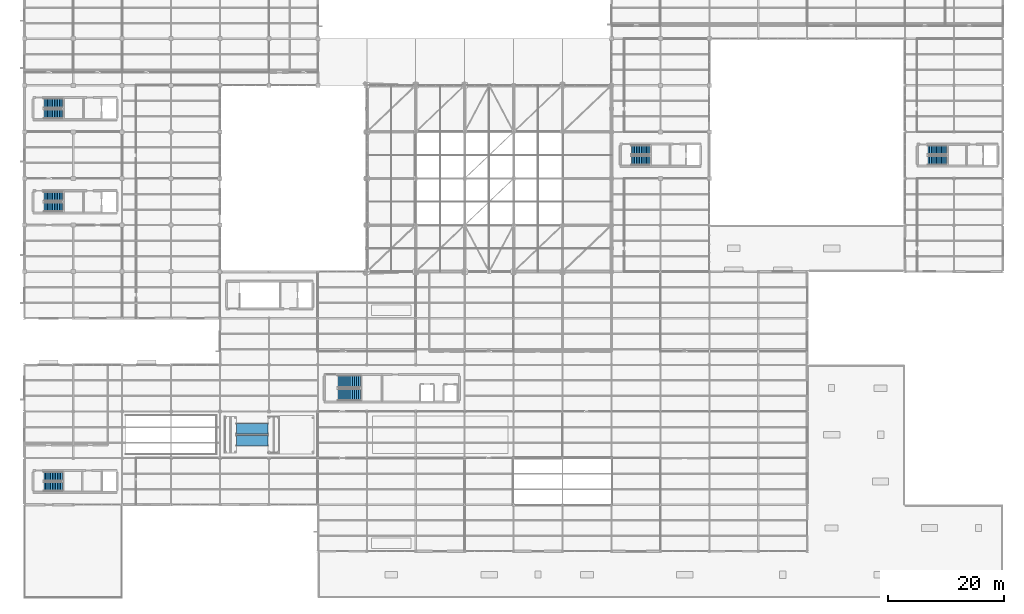
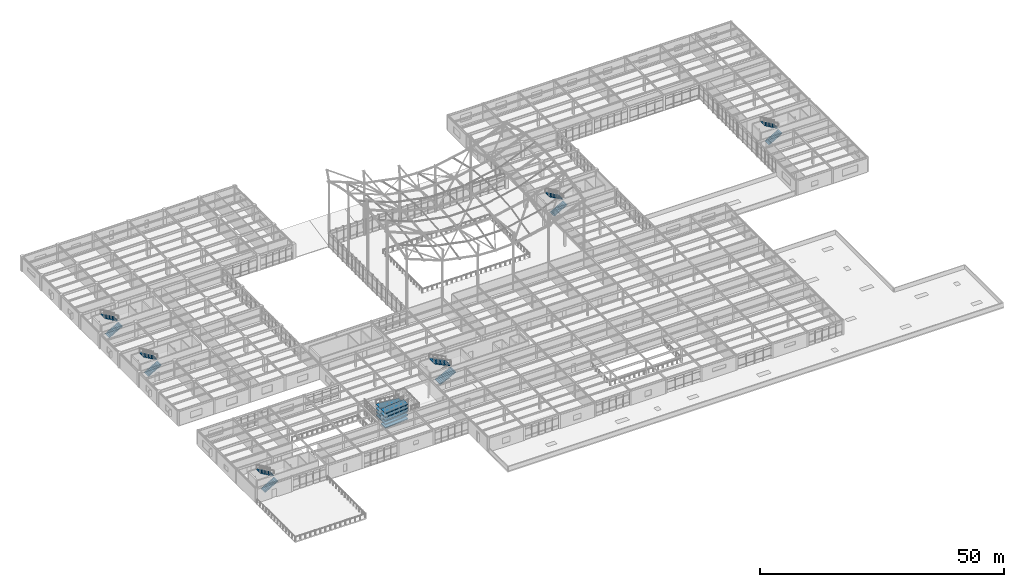
# One storey, part 80 of 138: 12 stair flights, 9 ramp flights, 7 elements without a shape of their own.
"""IFC4 building model written with IfcOpenShell, lengths in metres."""

from ifc_helpers import new_model, si_unit, direction, frame, origin, place, context, subcontext, project, spatial, polyline, outline, extrude, material, layer, layer_set, type_object, element, aggregate, save


model = new_model("IFC4")

# Units and contexts
model_context = context("Model", 3, precision=1e-05, world=origin(), true_north=direction((0.0, 1.0)))
body_context = subcontext(model_context, "Body", "Model", "MODEL_VIEW")
ifc_project = project(units=[si_unit("LENGTHUNIT", "METRE"), si_unit("AREAUNIT", "SQUARE_METRE"), si_unit("VOLUMEUNIT", "CUBIC_METRE"), si_unit("PLANEANGLEUNIT", "RADIAN"), si_unit("MASSUNIT", "GRAM", prefix="KILO")], contexts=[model_context])

# Site, building, storey
site_placement = place(None, origin())
site = spatial("IfcSite", under=ifc_project, at=site_placement, CompositionType="ELEMENT")
building_placement = place(site_placement, origin())
building = spatial("IfcBuilding", under=site, at=building_placement, Name="Kranzveld Transit Interchange", CompositionType="ELEMENT")
storey_placement = place(building_placement, frame((0.0, 0.0, 5.43994140625)))
storey = spatial("IfcBuildingStorey", under=building, at=storey_placement, Name="L01", CompositionType="ELEMENT", Elevation=5.43994140625)

# Stair, stair flights
ifc_material_1 = material(Name="Concrete C35/45", Category="concrete")
stair_type_1 = type_object("IfcStairType", Name="Dogleg Stair 1600W H4080 C35/45", PredefinedType="HALF_TURN_STAIR", material=ifc_material_1)
stair_1_placement = place(storey_placement, origin())
stair_1 = element("IfcStair", 1, at=stair_1_placement, inside=storey, type_object=stair_type_1, Name="L01 Community East Core C4", PredefinedType="HALF_TURN_STAIR")
ifc_material_2 = material(Name="Concrete C35/45", Category="concrete")
stair_flight_type_1 = type_object("IfcStairFlightType", Name="Stair Flight 1600W H4080 C35/45", PredefinedType="STRAIGHT", material=ifc_material_2)
stair_flight_1_placement = place(storey_placement, frame((155.14990234375, 75.1201171875, 0.0), z_axis=(0.0, 0.0, 1.0), x_axis=(1.0, 0.0, 0.0)))
stair_flight_1 = element("IfcStairFlight", 2, at=stair_flight_1_placement, type_object=stair_flight_type_1, Name="ST-V4B flight 1", NumberOfRisers=12, NumberOfTreads=11, PredefinedType="STRAIGHT", RiserHeight=0.17, TreadLength=0.29, context=body_context, shape_type="SweptSolid", body=[
    extrude(outline(polyline([(0.0, 0.0), (0.0, 0.169921875), (0.2900390625, 0.169921875), (0.2900390625, 0.340087890625), (0.580078125, 0.340087890625), (0.580078125, 0.510009765625), (0.8701171875, 0.510009765625), (0.8701171875, 0.679931640625), (1.159912109375, 0.679931640625), (1.159912109375, 0.85009765625), (1.449951171875, 0.85009765625), (1.449951171875, 1.02001953125), (1.739990234375, 1.02001953125), (1.739990234375, 1.18994140625), (2.030029296875, 1.18994140625), (2.030029296875, 1.360107421875), (2.320068359375, 1.360107421875), (2.320068359375, 1.530029296875), (2.610107421875, 1.530029296875), (2.610107421875, 1.699951171875), (2.89990234375, 1.699951171875), (2.89990234375, 1.8701171875), (3.18994140625, 1.8701171875), (3.18994140625, 2.0400390625), (3.18994140625, 1.6845703125), (0.316162109375, 0.0), (0.0, 0.0)])), frame((0.0, 0.800048828125, 0.0), z_axis=(0.0, -1.0, 0.0), x_axis=(1.0, 0.0, 0.0)), (0.0, 0.0, 1.0), 1.60009765625),
])
stair_flight_2_placement = place(storey_placement, frame((158.340087890625, 76.8798828125, 2.0400390625), z_axis=(0.0, 0.0, 1.0), x_axis=(-1.0, 0.0, 0.0)))
stair_flight_2 = element("IfcStairFlight", 3, at=stair_flight_2_placement, type_object=stair_flight_type_1, Name="ST-V4B flight 2", NumberOfRisers=12, NumberOfTreads=11, PredefinedType="STRAIGHT", RiserHeight=0.17, TreadLength=0.29, context=body_context, shape_type="SweptSolid", body=[
    extrude(outline(polyline([(0.0, 0.0), (0.0, 0.169921875), (0.2900390625, 0.169921875), (0.2900390625, 0.340087890625), (0.580078125, 0.340087890625), (0.580078125, 0.510009765625), (0.8701171875, 0.510009765625), (0.8701171875, 0.679931640625), (1.159912109375, 0.679931640625), (1.159912109375, 0.85009765625), (1.449951171875, 0.85009765625), (1.449951171875, 1.02001953125), (1.739990234375, 1.02001953125), (1.739990234375, 1.18994140625), (2.030029296875, 1.18994140625), (2.030029296875, 1.360107421875), (2.320068359375, 1.360107421875), (2.320068359375, 1.530029296875), (2.610107421875, 1.530029296875), (2.610107421875, 1.699951171875), (2.89990234375, 1.699951171875), (2.89990234375, 1.8701171875), (3.18994140625, 1.8701171875), (3.18994140625, 2.0400390625), (3.18994140625, 1.6845703125), (0.316162109375, 0.0), (0.0, 0.0)])), frame((0.0, 0.800048828125, 0.0), z_axis=(0.0, -1.0, 0.0), x_axis=(1.0, 0.0, 0.0)), (0.0, 0.0, 1.0), 1.60009765625),
])
aggregate(stair_1, [stair_flight_1, stair_flight_2])

stair_2_placement = place(storey_placement, origin())
stair_2 = element("IfcStair", 4, at=stair_2_placement, inside=storey, type_object=stair_type_1, Name="L01 Cycle Hub Core C7", PredefinedType="HALF_TURN_STAIR")
stair_flight_3_placement = place(storey_placement, frame((3.35009765625, 19.1201171875, 0.0), z_axis=(0.0, 0.0, 1.0), x_axis=(1.0, 0.0, 0.0)))
stair_flight_3 = element("IfcStairFlight", 5, at=stair_flight_3_placement, type_object=stair_flight_type_1, Name="ST-CY1 flight 1", NumberOfRisers=12, NumberOfTreads=11, PredefinedType="STRAIGHT", RiserHeight=0.17, TreadLength=0.29, context=body_context, shape_type="SweptSolid", body=[
    extrude(outline(polyline([(0.0, 0.0), (0.0, 0.169921875), (0.2900390625, 0.169921875), (0.2900390625, 0.340087890625), (0.580078125, 0.340087890625), (0.580078125, 0.510009765625), (0.8701171875, 0.510009765625), (0.8701171875, 0.679931640625), (1.159912109375, 0.679931640625), (1.159912109375, 0.85009765625), (1.449951171875, 0.85009765625), (1.449951171875, 1.02001953125), (1.739990234375, 1.02001953125), (1.739990234375, 1.18994140625), (2.030029296875, 1.18994140625), (2.030029296875, 1.360107421875), (2.320068359375, 1.360107421875), (2.320068359375, 1.530029296875), (2.610107421875, 1.530029296875), (2.610107421875, 1.699951171875), (2.89990234375, 1.699951171875), (2.89990234375, 1.8701171875), (3.18994140625, 1.8701171875), (3.18994140625, 2.0400390625), (3.18994140625, 1.6845703125), (0.316162109375, 0.0), (0.0, 0.0)])), frame((0.0, 0.800048828125, 0.0), z_axis=(0.0, -1.0, 0.0), x_axis=(1.0, 0.0, 0.0)), (0.0, 0.0, 1.0), 1.60009765625),
])
stair_flight_4_placement = place(storey_placement, frame((6.5400390625, 20.8798828125, 2.0400390625), z_axis=(0.0, 0.0, 1.0), x_axis=(-1.0, 0.0, 0.0)))
stair_flight_4 = element("IfcStairFlight", 6, at=stair_flight_4_placement, type_object=stair_flight_type_1, Name="ST-CY1 flight 2", NumberOfRisers=12, NumberOfTreads=11, PredefinedType="STRAIGHT", RiserHeight=0.17, TreadLength=0.29, context=body_context, shape_type="SweptSolid", body=[
    extrude(outline(polyline([(0.0, 0.0), (0.0, 0.169921875), (0.2900390625, 0.169921875), (0.2900390625, 0.340087890625), (0.580078125, 0.340087890625), (0.580078125, 0.510009765625), (0.8701171875, 0.510009765625), (0.8701171875, 0.679931640625), (1.159912109375, 0.679931640625), (1.159912109375, 0.85009765625), (1.449951171875, 0.85009765625), (1.449951171875, 1.02001953125), (1.739990234375, 1.02001953125), (1.739990234375, 1.18994140625), (2.030029296875, 1.18994140625), (2.030029296875, 1.360107421875), (2.320068359375, 1.360107421875), (2.320068359375, 1.530029296875), (2.610107421875, 1.530029296875), (2.610107421875, 1.699951171875), (2.89990234375, 1.699951171875), (2.89990234375, 1.8701171875), (3.18994140625, 1.8701171875), (3.18994140625, 2.0400390625), (3.18994140625, 1.6845703125), (0.316162109375, 0.0), (0.0, 0.0)])), frame((0.0, 0.800048828125, 0.0), z_axis=(0.0, -1.0, 0.0), x_axis=(1.0, 0.0, 0.0)), (0.0, 0.0, 1.0), 1.60009765625),
])
aggregate(stair_2, [stair_flight_3, stair_flight_4])

ifc_material_3 = material(Name="Concrete C35/45", Category="concrete")
stair_type_2 = type_object("IfcStairType", Name="Dogleg Stair 1650W H4080 C35/45", PredefinedType="HALF_TURN_STAIR", material=ifc_material_3)
stair_3_placement = place(storey_placement, origin())
stair_3 = element("IfcStair", 7, at=stair_3_placement, inside=storey, type_object=stair_type_2, Name="L01 Operations Core C1", PredefinedType="HALF_TURN_STAIR")
ifc_material_4 = material(Name="Concrete C35/45", Category="concrete")
stair_flight_type_2 = type_object("IfcStairFlightType", Name="Stair Flight 1650W H4080 C35/45", PredefinedType="STRAIGHT", material=ifc_material_4)
stair_flight_5_placement = place(storey_placement, frame((3.39990234375, 67.094970703125, 0.0), z_axis=(0.0, 0.0, 1.0), x_axis=(1.0, 0.0, 0.0)))
stair_flight_5 = element("IfcStairFlight", 8, at=stair_flight_5_placement, type_object=stair_flight_type_2, Name="ST-C1 flight 1", NumberOfRisers=12, NumberOfTreads=11, PredefinedType="STRAIGHT", RiserHeight=0.17, TreadLength=0.29, context=body_context, shape_type="SweptSolid", body=[
    extrude(outline(polyline([(0.0, 0.0), (0.0, 0.169921875), (0.2900390625, 0.169921875), (0.2900390625, 0.340087890625), (0.580078125, 0.340087890625), (0.580078125, 0.510009765625), (0.8701171875, 0.510009765625), (0.8701171875, 0.679931640625), (1.159912109375, 0.679931640625), (1.159912109375, 0.85009765625), (1.449951171875, 0.85009765625), (1.449951171875, 1.02001953125), (1.739990234375, 1.02001953125), (1.739990234375, 1.18994140625), (2.030029296875, 1.18994140625), (2.030029296875, 1.360107421875), (2.320068359375, 1.360107421875), (2.320068359375, 1.530029296875), (2.610107421875, 1.530029296875), (2.610107421875, 1.699951171875), (2.89990234375, 1.699951171875), (2.89990234375, 1.8701171875), (3.18994140625, 1.8701171875), (3.18994140625, 2.0400390625), (3.18994140625, 1.6845703125), (0.316162109375, 0.0), (0.0, 0.0)])), frame((0.0, 0.824951171875, 0.0), z_axis=(0.0, -1.0, 0.0), x_axis=(1.0, 0.0, 0.0)), (0.0, 0.0, 1.0), 1.64990234375),
])
stair_flight_6_placement = place(storey_placement, frame((6.590087890625, 68.905029296875, 2.0400390625), z_axis=(0.0, 0.0, 1.0), x_axis=(-1.0, 0.0, 0.0)))
stair_flight_6 = element("IfcStairFlight", 9, at=stair_flight_6_placement, type_object=stair_flight_type_2, Name="ST-C1 flight 2", NumberOfRisers=12, NumberOfTreads=11, PredefinedType="STRAIGHT", RiserHeight=0.17, TreadLength=0.29, context=body_context, shape_type="SweptSolid", body=[
    extrude(outline(polyline([(0.0, 0.0), (0.0, 0.169921875), (0.2900390625, 0.169921875), (0.2900390625, 0.340087890625), (0.580078125, 0.340087890625), (0.580078125, 0.510009765625), (0.8701171875, 0.510009765625), (0.8701171875, 0.679931640625), (1.159912109375, 0.679931640625), (1.159912109375, 0.85009765625), (1.449951171875, 0.85009765625), (1.449951171875, 1.02001953125), (1.739990234375, 1.02001953125), (1.739990234375, 1.18994140625), (2.030029296875, 1.18994140625), (2.030029296875, 1.360107421875), (2.320068359375, 1.360107421875), (2.320068359375, 1.530029296875), (2.610107421875, 1.530029296875), (2.610107421875, 1.699951171875), (2.89990234375, 1.699951171875), (2.89990234375, 1.8701171875), (3.18994140625, 1.8701171875), (3.18994140625, 2.0400390625), (3.18994140625, 1.6845703125), (0.316162109375, 0.0), (0.0, 0.0)])), frame((0.0, 0.824951171875, 0.0), z_axis=(0.0, -1.0, 0.0), x_axis=(1.0, 0.0, 0.0)), (0.0, 0.0, 1.0), 1.64990234375),
])
aggregate(stair_3, [stair_flight_5, stair_flight_6])

stair_4_placement = place(storey_placement, origin())
stair_4 = element("IfcStair", 10, at=stair_4_placement, inside=storey, type_object=stair_type_2, Name="L01 Operations Core C2", PredefinedType="HALF_TURN_STAIR")
stair_flight_7_placement = place(storey_placement, frame((3.39990234375, 83.094970703125, 0.0), z_axis=(0.0, 0.0, 1.0), x_axis=(1.0, 0.0, 0.0)))
stair_flight_7 = element("IfcStairFlight", 11, at=stair_flight_7_placement, type_object=stair_flight_type_2, Name="ST-C2 flight 1", NumberOfRisers=12, NumberOfTreads=11, PredefinedType="STRAIGHT", RiserHeight=0.17, TreadLength=0.29, context=body_context, shape_type="SweptSolid", body=[
    extrude(outline(polyline([(0.0, 0.0), (0.0, 0.169921875), (0.2900390625, 0.169921875), (0.2900390625, 0.340087890625), (0.580078125, 0.340087890625), (0.580078125, 0.510009765625), (0.8701171875, 0.510009765625), (0.8701171875, 0.679931640625), (1.159912109375, 0.679931640625), (1.159912109375, 0.85009765625), (1.449951171875, 0.85009765625), (1.449951171875, 1.02001953125), (1.739990234375, 1.02001953125), (1.739990234375, 1.18994140625), (2.030029296875, 1.18994140625), (2.030029296875, 1.360107421875), (2.320068359375, 1.360107421875), (2.320068359375, 1.530029296875), (2.610107421875, 1.530029296875), (2.610107421875, 1.699951171875), (2.89990234375, 1.699951171875), (2.89990234375, 1.8701171875), (3.18994140625, 1.8701171875), (3.18994140625, 2.0400390625), (3.18994140625, 1.6845703125), (0.316162109375, 0.0), (0.0, 0.0)])), frame((0.0, 0.824951171875, 0.0), z_axis=(0.0, -1.0, 0.0), x_axis=(1.0, 0.0, 0.0)), (0.0, 0.0, 1.0), 1.64990234375),
])
stair_flight_8_placement = place(storey_placement, frame((6.590087890625, 84.905029296875, 2.0400390625), z_axis=(0.0, 0.0, 1.0), x_axis=(-1.0, 0.0, 0.0)))
stair_flight_8 = element("IfcStairFlight", 12, at=stair_flight_8_placement, type_object=stair_flight_type_2, Name="ST-C2 flight 2", NumberOfRisers=12, NumberOfTreads=11, PredefinedType="STRAIGHT", RiserHeight=0.17, TreadLength=0.29, context=body_context, shape_type="SweptSolid", body=[
    extrude(outline(polyline([(0.0, 0.0), (0.0, 0.169921875), (0.2900390625, 0.169921875), (0.2900390625, 0.340087890625), (0.580078125, 0.340087890625), (0.580078125, 0.510009765625), (0.8701171875, 0.510009765625), (0.8701171875, 0.679931640625), (1.159912109375, 0.679931640625), (1.159912109375, 0.85009765625), (1.449951171875, 0.85009765625), (1.449951171875, 1.02001953125), (1.739990234375, 1.02001953125), (1.739990234375, 1.18994140625), (2.030029296875, 1.18994140625), (2.030029296875, 1.360107421875), (2.320068359375, 1.360107421875), (2.320068359375, 1.530029296875), (2.610107421875, 1.530029296875), (2.610107421875, 1.699951171875), (2.89990234375, 1.699951171875), (2.89990234375, 1.8701171875), (3.18994140625, 1.8701171875), (3.18994140625, 2.0400390625), (3.18994140625, 1.6845703125), (0.316162109375, 0.0), (0.0, 0.0)])), frame((0.0, 0.824951171875, 0.0), z_axis=(0.0, -1.0, 0.0), x_axis=(1.0, 0.0, 0.0)), (0.0, 0.0, 1.0), 1.64990234375),
])
aggregate(stair_4, [stair_flight_7, stair_flight_8])

stair_5_placement = place(storey_placement, origin())
stair_5 = element("IfcStair", 13, at=stair_5_placement, inside=storey, type_object=stair_type_2, Name="L01 Community Core C3", PredefinedType="HALF_TURN_STAIR")
stair_flight_9_placement = place(storey_placement, frame((104.199951171875, 75.094970703125, 0.0), z_axis=(0.0, 0.0, 1.0), x_axis=(1.0, 0.0, 0.0)))
stair_flight_9 = element("IfcStairFlight", 14, at=stair_flight_9_placement, type_object=stair_flight_type_2, Name="ST-V4A flight 1", NumberOfRisers=12, NumberOfTreads=11, PredefinedType="STRAIGHT", RiserHeight=0.17, TreadLength=0.29, context=body_context, shape_type="SweptSolid", body=[
    extrude(outline(polyline([(0.0, 0.0), (0.0, 0.169921875), (0.2900390625, 0.169921875), (0.2900390625, 0.340087890625), (0.580078125, 0.340087890625), (0.580078125, 0.510009765625), (0.8701171875, 0.510009765625), (0.8701171875, 0.679931640625), (1.159912109375, 0.679931640625), (1.159912109375, 0.85009765625), (1.449951171875, 0.85009765625), (1.449951171875, 1.02001953125), (1.739990234375, 1.02001953125), (1.739990234375, 1.18994140625), (2.030029296875, 1.18994140625), (2.030029296875, 1.360107421875), (2.320068359375, 1.360107421875), (2.320068359375, 1.530029296875), (2.610107421875, 1.530029296875), (2.610107421875, 1.699951171875), (2.89990234375, 1.699951171875), (2.89990234375, 1.8701171875), (3.18994140625, 1.8701171875), (3.18994140625, 2.0400390625), (3.18994140625, 1.6845703125), (0.316162109375, 0.0), (0.0, 0.0)])), frame((0.0, 0.824951171875, 0.0), z_axis=(0.0, -1.0, 0.0), x_axis=(1.0, 0.0, 0.0)), (0.0, 0.0, 1.0), 1.64990234375),
])
stair_flight_10_placement = place(storey_placement, frame((107.389892578125, 76.905029296875, 2.0400390625), z_axis=(0.0, 0.0, 1.0), x_axis=(-1.0, 0.0, 0.0)))
stair_flight_10 = element("IfcStairFlight", 15, at=stair_flight_10_placement, type_object=stair_flight_type_2, Name="ST-V4A flight 2", NumberOfRisers=12, NumberOfTreads=11, PredefinedType="STRAIGHT", RiserHeight=0.17, TreadLength=0.29, context=body_context, shape_type="SweptSolid", body=[
    extrude(outline(polyline([(0.0, 0.0), (0.0, 0.169921875), (0.2900390625, 0.169921875), (0.2900390625, 0.340087890625), (0.580078125, 0.340087890625), (0.580078125, 0.510009765625), (0.8701171875, 0.510009765625), (0.8701171875, 0.679931640625), (1.159912109375, 0.679931640625), (1.159912109375, 0.85009765625), (1.449951171875, 0.85009765625), (1.449951171875, 1.02001953125), (1.739990234375, 1.02001953125), (1.739990234375, 1.18994140625), (2.030029296875, 1.18994140625), (2.030029296875, 1.360107421875), (2.320068359375, 1.360107421875), (2.320068359375, 1.530029296875), (2.610107421875, 1.530029296875), (2.610107421875, 1.699951171875), (2.89990234375, 1.699951171875), (2.89990234375, 1.8701171875), (3.18994140625, 1.8701171875), (3.18994140625, 2.0400390625), (3.18994140625, 1.6845703125), (0.316162109375, 0.0), (0.0, 0.0)])), frame((0.0, 0.824951171875, 0.0), z_axis=(0.0, -1.0, 0.0), x_axis=(1.0, 0.0, 0.0)), (0.0, 0.0, 1.0), 1.64990234375),
])
aggregate(stair_5, [stair_flight_9, stair_flight_10])

ifc_material_5 = material(Name="Concrete C35/45", Category="concrete")
stair_type_3 = type_object("IfcStairType", Name="Dogleg Stair 2100W H4080 C35/45", PredefinedType="HALF_TURN_STAIR", material=ifc_material_5)
stair_6_placement = place(storey_placement, origin())
stair_6 = element("IfcStair", 16, at=stair_6_placement, inside=storey, type_object=stair_type_3, Name="L01 Metro East & Bus Mezzanine Core C6", PredefinedType="HALF_TURN_STAIR")
ifc_material_6 = material(Name="Concrete C35/45", Category="concrete")
stair_flight_type_3 = type_object("IfcStairFlightType", Name="Stair Flight 2100W H4080 C35/45", PredefinedType="STRAIGHT", material=ifc_material_6)
stair_flight_11_placement = place(storey_placement, frame((53.85009765625, 34.8701171875, 0.0), z_axis=(0.0, 0.0, 1.0), x_axis=(1.0, 0.0, 0.0)))
stair_flight_11 = element("IfcStairFlight", 17, at=stair_flight_11_placement, type_object=stair_flight_type_3, Name="ST-M2 flight 1", NumberOfRisers=12, NumberOfTreads=11, PredefinedType="STRAIGHT", RiserHeight=0.17, TreadLength=0.35, context=body_context, shape_type="SweptSolid", body=[
    extrude(outline(polyline([(0.0, 0.0), (0.0, 0.169921875), (0.35009765625, 0.169921875), (0.35009765625, 0.340087890625), (0.699951171875, 0.340087890625), (0.699951171875, 0.510009765625), (1.050048828125, 0.510009765625), (1.050048828125, 0.679931640625), (1.39990234375, 0.679931640625), (1.39990234375, 0.85009765625), (1.75, 0.85009765625), (1.75, 1.02001953125), (2.10009765625, 1.02001953125), (2.10009765625, 1.18994140625), (2.449951171875, 1.18994140625), (2.449951171875, 1.360107421875), (2.800048828125, 1.360107421875), (2.800048828125, 1.530029296875), (3.14990234375, 1.530029296875), (3.14990234375, 1.699951171875), (3.5, 1.699951171875), (3.5, 1.8701171875), (3.85009765625, 1.8701171875), (3.85009765625, 2.0400390625), (3.85009765625, 1.692138671875), (0.365966796875, 0.0), (0.0, 0.0)])), frame((0.0, 1.050048828125, 0.0), z_axis=(0.0, -1.0, 0.0), x_axis=(1.0, 0.0, 0.0)), (0.0, 0.0, 1.0), 2.10009765625),
])
stair_flight_12_placement = place(storey_placement, frame((57.699951171875, 37.1298828125, 2.0400390625), z_axis=(0.0, 0.0, 1.0), x_axis=(-1.0, 0.0, 0.0)))
stair_flight_12 = element("IfcStairFlight", 18, at=stair_flight_12_placement, type_object=stair_flight_type_3, Name="ST-M2 flight 2", NumberOfRisers=12, NumberOfTreads=11, PredefinedType="STRAIGHT", RiserHeight=0.17, TreadLength=0.35, context=body_context, shape_type="SweptSolid", body=[
    extrude(outline(polyline([(0.0, 0.0), (0.0, 0.169921875), (0.35009765625, 0.169921875), (0.35009765625, 0.340087890625), (0.699951171875, 0.340087890625), (0.699951171875, 0.510009765625), (1.050048828125, 0.510009765625), (1.050048828125, 0.679931640625), (1.39990234375, 0.679931640625), (1.39990234375, 0.85009765625), (1.75, 0.85009765625), (1.75, 1.02001953125), (2.10009765625, 1.02001953125), (2.10009765625, 1.18994140625), (2.449951171875, 1.18994140625), (2.449951171875, 1.360107421875), (2.800048828125, 1.360107421875), (2.800048828125, 1.530029296875), (3.14990234375, 1.530029296875), (3.14990234375, 1.699951171875), (3.5, 1.699951171875), (3.5, 1.8701171875), (3.85009765625, 1.8701171875), (3.85009765625, 2.0400390625), (3.85009765625, 1.692138671875), (0.365966796875, 0.0), (0.0, 0.0)])), frame((0.0, 1.050048828125, 0.0), z_axis=(0.0, -1.0, 0.0), x_axis=(1.0, 0.0, 0.0)), (0.0, 0.0, 1.0), 2.10009765625),
])
aggregate(stair_6, [stair_flight_11, stair_flight_12])

# Ramp, ramp flights
ifc_material_7 = material(Name="Concrete C35/45", Category="concrete")
ramp_type = type_object("IfcRampType", Name="Accessible Cycle Ramp 1:12 1850W C35/45", PredefinedType="STRAIGHT_RUN_RAMP", material=ifc_material_7)
ramp_placement = place(storey_placement, origin())
ramp = element("IfcRamp", 19, at=ramp_placement, inside=storey, type_object=ramp_type, Name="L01 Cycle Hub 1:12 Ramp RMP-2", PredefinedType="STRAIGHT_RUN_RAMP")
ifc_material_8 = material(Name="Concrete C35/45", Category="concrete")
ifc_layer = layer(ifc_material_8, 0.219970703125)
ifc_layer_set = layer_set([ifc_layer], Name="Concrete C35/45")
ramp_flight_type = type_object("IfcRampFlightType", Name="Cycle Ramp Flight 1850Wx220T C35/45", PredefinedType="STRAIGHT", material=ifc_layer_set)
ramp_flight_1_placement = place(storey_placement, frame((36.39990234375, 26.97509765625, 0.0), z_axis=(0.0, 0.0, 1.0), x_axis=(1.0, 0.0, 0.0)))
ramp_flight_1 = element("IfcRampFlight", 20, at=ramp_flight_1_placement, type_object=ramp_flight_type, Name="RMP-2 Flight 1", PredefinedType="STRAIGHT", context=body_context, shape_type="SweptSolid", body=[
    extrude(outline(polyline([(0.0, -0.219970703125), (0.0, 0.0), (5.43994140625, 0.453369140625), (5.43994140625, 0.2333984375), (0.0, -0.219970703125)])), frame((0.0, 0.925048828125, 0.0), z_axis=(0.0, -1.0, 0.0), x_axis=(1.0, 0.0, 0.0)), (0.0, 0.0, 1.0), 1.85009765625),
])
ramp_flight_2_placement = place(storey_placement, frame((41.840087890625, 29.02490234375, 0.453369140625), z_axis=(0.0, 0.0, 1.0), x_axis=(-1.0, 0.0, 0.0)))
ramp_flight_2 = element("IfcRampFlight", 21, at=ramp_flight_2_placement, type_object=ramp_flight_type, Name="RMP-2 Flight 2", PredefinedType="STRAIGHT", context=body_context, shape_type="SweptSolid", body=[
    extrude(outline(polyline([(0.0, -0.219970703125), (0.0, 0.0), (5.43994140625, 0.453369140625), (5.43994140625, 0.2333984375), (0.0, -0.219970703125)])), frame((0.0, 0.925048828125, 0.0), z_axis=(0.0, -1.0, 0.0), x_axis=(1.0, 0.0, 0.0)), (0.0, 0.0, 1.0), 1.85009765625),
])
ramp_flight_3_placement = place(storey_placement, frame((36.39990234375, 26.97509765625, 0.90673828125), z_axis=(0.0, 0.0, 1.0), x_axis=(1.0, 0.0, 0.0)))
ramp_flight_3 = element("IfcRampFlight", 22, at=ramp_flight_3_placement, type_object=ramp_flight_type, Name="RMP-2 Flight 3", PredefinedType="STRAIGHT", context=body_context, shape_type="SweptSolid", body=[
    extrude(outline(polyline([(0.0, -0.219970703125), (0.0, 0.0), (5.43994140625, 0.453369140625), (5.43994140625, 0.2333984375), (0.0, -0.219970703125)])), frame((0.0, 0.925048828125, 0.0), z_axis=(0.0, -1.0, 0.0), x_axis=(1.0, 0.0, 0.0)), (0.0, 0.0, 1.0), 1.85009765625),
])
ramp_flight_4_placement = place(storey_placement, frame((41.840087890625, 29.02490234375, 1.360107421875), z_axis=(0.0, 0.0, 1.0), x_axis=(-1.0, 0.0, 0.0)))
ramp_flight_4 = element("IfcRampFlight", 23, at=ramp_flight_4_placement, type_object=ramp_flight_type, Name="RMP-2 Flight 4", PredefinedType="STRAIGHT", context=body_context, shape_type="SweptSolid", body=[
    extrude(outline(polyline([(0.0, -0.219970703125), (0.0, 0.0), (5.43994140625, 0.453369140625), (5.43994140625, 0.2333984375), (0.0, -0.219970703125)])), frame((0.0, 0.925048828125, 0.0), z_axis=(0.0, -1.0, 0.0), x_axis=(1.0, 0.0, 0.0)), (0.0, 0.0, 1.0), 1.85009765625),
])
ramp_flight_5_placement = place(storey_placement, frame((36.39990234375, 26.97509765625, 1.8134765625), z_axis=(0.0, 0.0, 1.0), x_axis=(1.0, 0.0, 0.0)))
ramp_flight_5 = element("IfcRampFlight", 24, at=ramp_flight_5_placement, type_object=ramp_flight_type, Name="RMP-2 Flight 5", PredefinedType="STRAIGHT", context=body_context, shape_type="SweptSolid", body=[
    extrude(outline(polyline([(0.0, -0.219970703125), (0.0, 0.0), (5.43994140625, 0.453369140625), (5.43994140625, 0.2333984375), (0.0, -0.219970703125)])), frame((0.0, 0.925048828125, 0.0), z_axis=(0.0, -1.0, 0.0), x_axis=(1.0, 0.0, 0.0)), (0.0, 0.0, 1.0), 1.85009765625),
])
ramp_flight_6_placement = place(storey_placement, frame((41.840087890625, 29.02490234375, 2.2666015625), z_axis=(0.0, 0.0, 1.0), x_axis=(-1.0, 0.0, 0.0)))
ramp_flight_6 = element("IfcRampFlight", 25, at=ramp_flight_6_placement, type_object=ramp_flight_type, Name="RMP-2 Flight 6", PredefinedType="STRAIGHT", context=body_context, shape_type="SweptSolid", body=[
    extrude(outline(polyline([(0.0, -0.219970703125), (0.0, 0.0), (5.43994140625, 0.453369140625), (5.43994140625, 0.2333984375), (0.0, -0.219970703125)])), frame((0.0, 0.925048828125, 0.0), z_axis=(0.0, -1.0, 0.0), x_axis=(1.0, 0.0, 0.0)), (0.0, 0.0, 1.0), 1.85009765625),
])
ramp_flight_7_placement = place(storey_placement, frame((36.39990234375, 26.97509765625, 2.719970703125), z_axis=(0.0, 0.0, 1.0), x_axis=(1.0, 0.0, 0.0)))
ramp_flight_7 = element("IfcRampFlight", 26, at=ramp_flight_7_placement, type_object=ramp_flight_type, Name="RMP-2 Flight 7", PredefinedType="STRAIGHT", context=body_context, shape_type="SweptSolid", body=[
    extrude(outline(polyline([(0.0, -0.219970703125), (0.0, 0.0), (5.43994140625, 0.453369140625), (5.43994140625, 0.2333984375), (0.0, -0.219970703125)])), frame((0.0, 0.925048828125, 0.0), z_axis=(0.0, -1.0, 0.0), x_axis=(1.0, 0.0, 0.0)), (0.0, 0.0, 1.0), 1.85009765625),
])
ramp_flight_8_placement = place(storey_placement, frame((41.840087890625, 29.02490234375, 3.17333984375), z_axis=(0.0, 0.0, 1.0), x_axis=(-1.0, 0.0, 0.0)))
ramp_flight_8 = element("IfcRampFlight", 27, at=ramp_flight_8_placement, type_object=ramp_flight_type, Name="RMP-2 Flight 8", PredefinedType="STRAIGHT", context=body_context, shape_type="SweptSolid", body=[
    extrude(outline(polyline([(0.0, -0.219970703125), (0.0, 0.0), (5.43994140625, 0.453369140625), (5.43994140625, 0.2333984375), (0.0, -0.219970703125)])), frame((0.0, 0.925048828125, 0.0), z_axis=(0.0, -1.0, 0.0), x_axis=(1.0, 0.0, 0.0)), (0.0, 0.0, 1.0), 1.85009765625),
])
ramp_flight_9_placement = place(storey_placement, frame((36.39990234375, 26.97509765625, 3.626708984375), z_axis=(0.0, 0.0, 1.0), x_axis=(1.0, 0.0, 0.0)))
ramp_flight_9 = element("IfcRampFlight", 28, at=ramp_flight_9_placement, type_object=ramp_flight_type, Name="RMP-2 Flight 9", PredefinedType="STRAIGHT", context=body_context, shape_type="SweptSolid", body=[
    extrude(outline(polyline([(0.0, -0.219970703125), (0.0, 0.0), (5.43994140625, 0.453369140625), (5.43994140625, 0.2333984375), (0.0, -0.219970703125)])), frame((0.0, 0.925048828125, 0.0), z_axis=(0.0, -1.0, 0.0), x_axis=(1.0, 0.0, 0.0)), (0.0, 0.0, 1.0), 1.85009765625),
])
aggregate(ramp, [ramp_flight_1, ramp_flight_2, ramp_flight_3, ramp_flight_4, ramp_flight_5, ramp_flight_6, ramp_flight_7, ramp_flight_8, ramp_flight_9])

save(model, "model.ifc")
